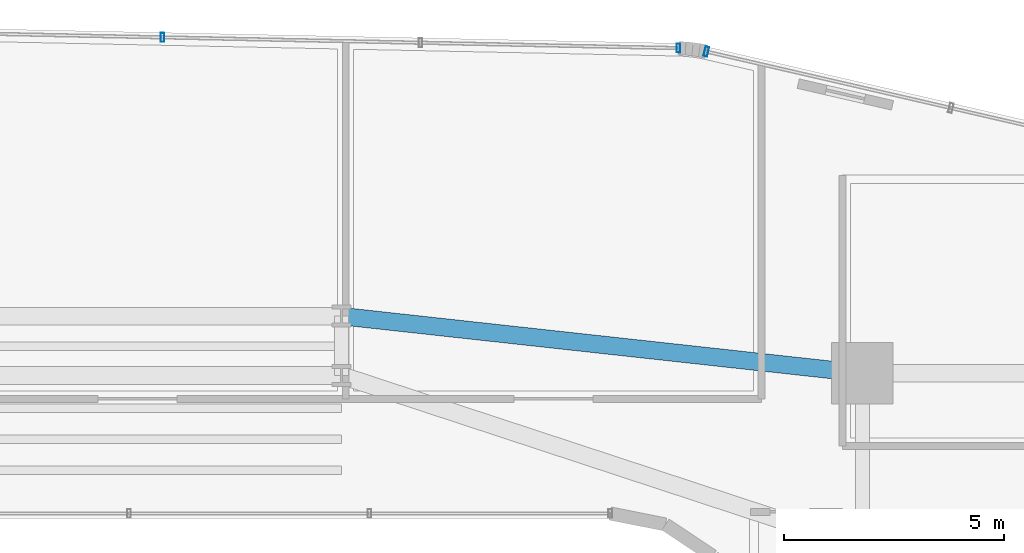
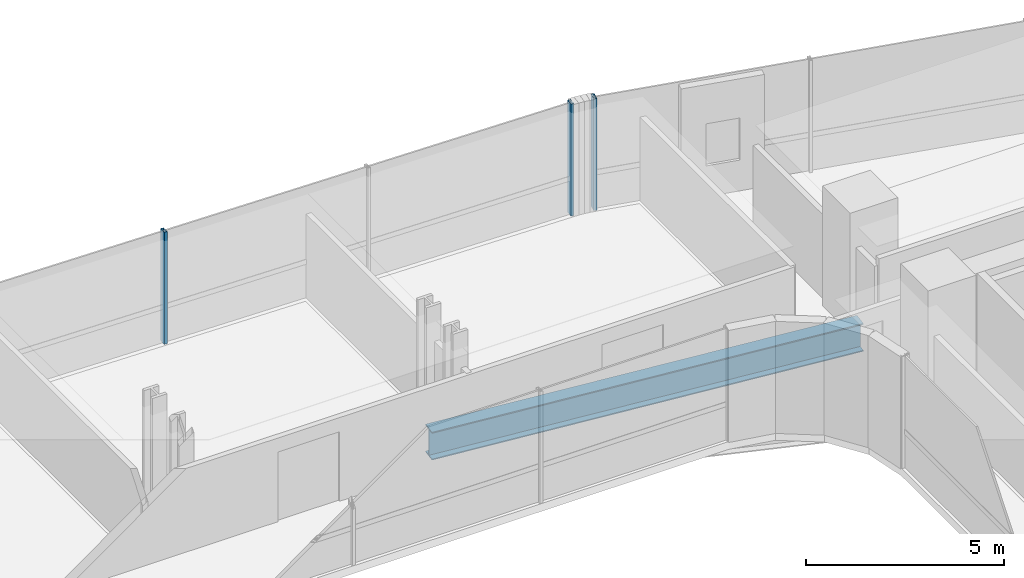
# One storey, part 23 of 40: 3 members, 1 beam, 2 elements without a shape of their own.
"""IFC4 building model written with IfcOpenShell, lengths in metres."""

from ifc_helpers import new_model, si_unit, direction, frame, origin, origin_2d, place, context, subcontext, project, spatial, hollow_rectangle, i_section, extrude, source, transform, mapped, material, material_profile, profile_set, type_object, element, aggregate, save


model = new_model("IFC4")

# Units and contexts
model_context = context("Model", 3, precision=1e-05, world=origin(), true_north=direction((0.0, 1.0)))
body_context = subcontext(model_context, "Body", "Model", "MODEL_VIEW")
ifc_project = project(units=[si_unit("LENGTHUNIT", "METRE"), si_unit("AREAUNIT", "SQUARE_METRE"), si_unit("VOLUMEUNIT", "CUBIC_METRE"), si_unit("PLANEANGLEUNIT", "RADIAN"), si_unit("MASSUNIT", "GRAM", prefix="KILO")], contexts=[model_context])

# Site, building, storey
site_placement = place(None, origin())
site = spatial("IfcSite", under=ifc_project, at=site_placement, CompositionType="ELEMENT")
building_placement = place(site_placement, origin())
building = spatial("IfcBuilding", under=site, at=building_placement, Name="Valdorenza Pilgrim Sanctuary Tower", CompositionType="ELEMENT")
storey_placement = place(building_placement, frame((0.0, 0.0, 81.5)))
storey = spatial("IfcBuildingStorey", under=building, at=storey_placement, Name="L20", CompositionType="ELEMENT", Elevation=81.5)

# Beam
ifc_material_1 = material(Name="Steel ASTM A992 Grade 50", Category="steel")
ifc_material_profile_1 = material_profile(ifc_material_1, i_section(OverallWidth=0.39990234375, OverallDepth=0.862060546875, WebThickness=0.019775390625, FlangeThickness=0.032470703125, at=origin_2d()), Name="W33X221")
ifc_profile_set_1 = profile_set([ifc_material_profile_1], Name="Steel ASTM A992 Grade 50")
beam_type = type_object("IfcBeamType", Name="STR-BM-GRD-W33", PredefinedType="BEAM", material=ifc_profile_set_1)
shared_shape_1 = source(origin(), body_context, "Body", "SweptSolid", [
    extrude(i_section(OverallWidth=0.39990234375, OverallDepth=0.862060546875, WebThickness=0.019775390625, FlangeThickness=0.032470703125, at=origin_2d()), origin(), (0.0, 0.0, 1.0), 11.921142578125),
])
beam_placement = place(storey_placement, frame((4.0, 14.800048828125, -0.6708984375), z_axis=(0.994035876607, -0.10905354656, 0.0), x_axis=(0.10905354656, 0.994035876607, 0.0)))
element("IfcBeam", 1, at=beam_placement, inside=storey, type_object=beam_type, Name="L20 Floor Girder KNK-G6", PredefinedType="BEAM", context=body_context, shape_type="MappedRepresentation", body=[
    mapped(shared_shape_1, transform((0.0, 0.0, 0.0), x_axis=(1.0, 0.0, 0.0), y_axis=(0.0, 1.0, 0.0), z_axis=(0.0, 0.0, 1.0), scale=1.0)),
])

# Curtain wall, members
ifc_material_2 = material(Name="Curtain-wall IGU glazing", Category="glass")
curtain_wall_type_1 = type_object("IfcCurtainWallType", Name="CW-SYS-02", PredefinedType="NOTDEFINED", material=ifc_material_2)
curtain_wall_1_placement = place(storey_placement, origin())
curtain_wall_1 = element("IfcCurtainWall", 2, at=curtain_wall_1_placement, inside=storey, type_object=curtain_wall_type_1, Name="L20 Curtain Wall CW-L20-1-11", PredefinedType="NOTDEFINED")
ifc_material_3 = material(Name="Anodised aluminium AW-6060", Category="aluminium")
ifc_material_profile_2 = material_profile(ifc_material_3, hollow_rectangle(XDim=0.0849609375, YDim=0.199951171875, WallThickness=0.0048828125, at=origin_2d()), Name="ALU-M 200x85x5")
ifc_profile_set_2 = profile_set([ifc_material_profile_2], Name="Anodised aluminium AW-6060")
member_type_1 = type_object("IfcMemberType", Name="CW-MUL-02", PredefinedType="MULLION", material=ifc_profile_set_2)
shared_shape_2 = source(origin(), body_context, "Body", "SweptSolid", [
    extrude(hollow_rectangle(XDim=0.0849609375, YDim=0.199951171875, WallThickness=0.0048828125, at=origin_2d()), origin(), (0.0, 0.0, 1.0), 3.4599609375),
])
member_1_placement = place(storey_placement, frame((-0.0712890625, 21.1416015625, 0.0), z_axis=(0.0, 0.0, 1.0), x_axis=(0.999783234613, -0.020820273474, 0.0)))
member_1 = element("IfcMember", 3, at=member_1_placement, type_object=member_type_1, Name="CW-L20-1-11 Mullion 3", PredefinedType="MULLION", context=body_context, shape_type="MappedRepresentation", body=[
    mapped(shared_shape_2, transform((0.0, 0.0, 0.0), x_axis=(1.0, 0.0, 0.0), y_axis=(0.0, 1.0, 0.0), z_axis=(0.0, 0.0, 1.0), scale=1.0)),
])
member_2_placement = place(storey_placement, frame((11.665771484375, 20.89697265625, 0.0), z_axis=(0.0, 0.0, 1.0), x_axis=(0.999783234613, -0.020820273474, 0.0)))
member_2 = element("IfcMember", 4, at=member_2_placement, type_object=member_type_1, Name="CW-L20-1-11 Mullion 5", PredefinedType="MULLION", context=body_context, shape_type="MappedRepresentation", body=[
    mapped(shared_shape_2, transform((0.0, 0.0, 0.0), x_axis=(1.0, 0.0, 0.0), y_axis=(0.0, 1.0, 0.0), z_axis=(0.0, 0.0, 1.0), scale=1.0)),
])
aggregate(curtain_wall_1, [member_1, member_2])

# Curtain wall, member
curtain_wall_type_2 = type_object("IfcCurtainWallType", Name="CW-SYS-03", PredefinedType="NOTDEFINED", material=ifc_material_2)
curtain_wall_2_placement = place(storey_placement, origin())
curtain_wall_2 = element("IfcCurtainWall", 5, at=curtain_wall_2_placement, inside=storey, type_object=curtain_wall_type_2, Name="L20 Curtain Wall CW-L20-1-16", PredefinedType="NOTDEFINED")
ifc_material_profile_3 = material_profile(ifc_material_3, hollow_rectangle(XDim=0.0849609375, YDim=0.219970703125, WallThickness=0.0048828125, at=origin_2d()), Name="ALU-M 220x85x5")
ifc_profile_set_3 = profile_set([ifc_material_profile_3], Name="Anodised aluminium AW-6060")
member_type_2 = type_object("IfcMemberType", Name="CW-MUL-03", PredefinedType="MULLION", material=ifc_profile_set_3)
shared_shape_3 = source(origin(), body_context, "Body", "SweptSolid", [
    extrude(hollow_rectangle(XDim=0.0849609375, YDim=0.219970703125, WallThickness=0.0048828125, at=origin_2d()), origin(), (0.0, 0.0, 1.0), 3.4599609375),
])
member_3_placement = place(storey_placement, frame((12.299072265625, 20.818115234375, 0.0), z_axis=(0.0, 0.0, 1.0), x_axis=(0.974389691758, -0.224866023659, 0.0)))
member_3 = element("IfcMember", 6, at=member_3_placement, type_object=member_type_2, Name="CW-L20-1-16 Mullion 1", PredefinedType="MULLION", context=body_context, shape_type="MappedRepresentation", body=[
    mapped(shared_shape_3, transform((0.0, 0.0, 0.0), x_axis=(1.0, 0.0, 0.0), y_axis=(0.0, 1.0, 0.0), z_axis=(0.0, 0.0, 1.0), scale=1.0)),
])
aggregate(curtain_wall_2, [member_3])

save(model, "model.ifc")
